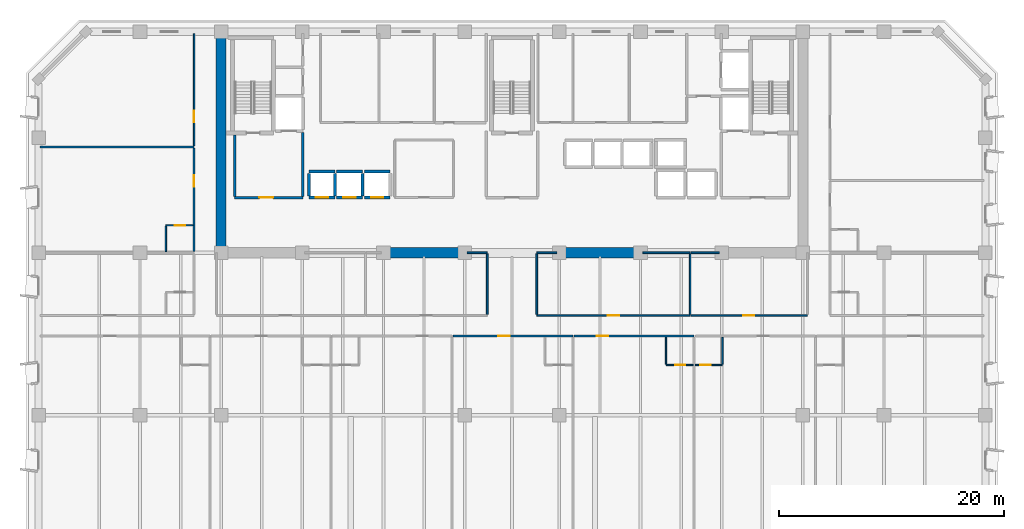
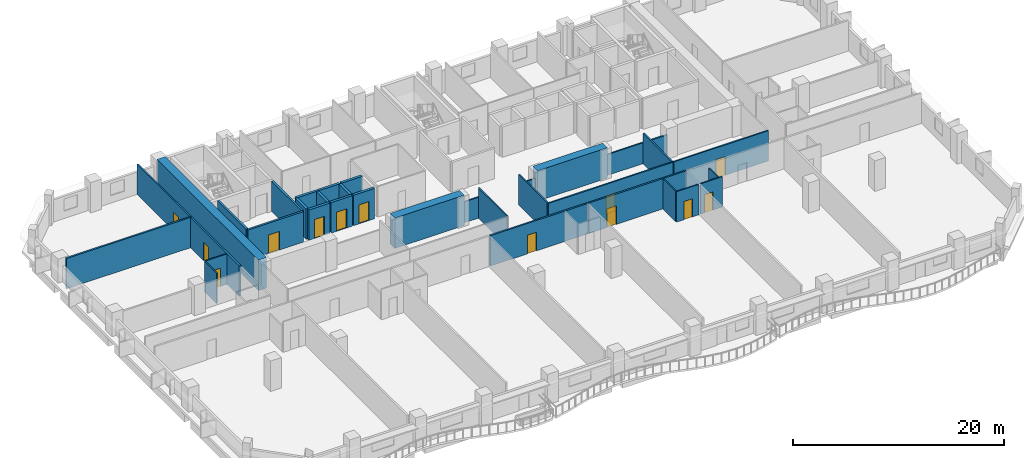
# One storey, part 6 of 15: 35 walls, 13 doors, 13 openings.
"""IFC4 building model written with IfcOpenShell, lengths in metres."""

from ifc_helpers import new_model, si_unit, direction, frame, frame_2d, origin, place, context, subcontext, project, spatial, rectangle, extrude, material, layer, layer_set, type_object, element, fill, save


model = new_model("IFC4")

# Units and contexts
model_context = context("Model", 3, precision=1e-05, world=origin(), true_north=direction((0.0, 1.0)))
body_context = subcontext(model_context, "Body", "Model", "MODEL_VIEW")
ifc_project = project(units=[si_unit("LENGTHUNIT", "METRE"), si_unit("AREAUNIT", "SQUARE_METRE"), si_unit("VOLUMEUNIT", "CUBIC_METRE"), si_unit("PLANEANGLEUNIT", "RADIAN"), si_unit("MASSUNIT", "GRAM", prefix="KILO")], contexts=[model_context])

# Site, building, storey
site_placement = place(None, origin())
site = spatial("IfcSite", under=ifc_project, at=site_placement, CompositionType="ELEMENT")
building_placement = place(site_placement, origin())
building = spatial("IfcBuilding", under=site, at=building_placement, Name="Kaelvorn Grand Hotel", CompositionType="ELEMENT")
storey_placement = place(building_placement, frame((0.0, 0.0, 104.300048828125)))
storey = spatial("IfcBuildingStorey", under=building, at=storey_placement, Name="L24", CompositionType="ELEMENT", Elevation=104.300048828125)

# Walls
ifc_material_1 = material(Name="Concrete C60/75", Category="concrete")
ifc_layer_1 = layer(ifc_material_1, 0.89990234375)
ifc_layer_set_1 = layer_set([ifc_layer_1], Name="Concrete C60/75")
wall_type_1 = type_object("IfcWallType", Name="WL-CORE-900-C60", PredefinedType="SHEAR", material=ifc_layer_set_1)
wall_1_placement = place(storey_placement, frame((16.199951171875, 29.39990234375, 0.0), z_axis=(0.0, 0.0, 1.0), x_axis=(0.0, 1.0, 0.0)))
element("IfcWall", 1, at=wall_1_placement, inside=storey, type_object=wall_type_1, Name="L24 Rear-Core West Shear Wall", PredefinedType="SHEAR", context=body_context, shape_type="SweptSolid", body=[
    extrude(rectangle(XDim=19.2001953125, YDim=0.89990234375, at=frame_2d((9.60009765625, 0.0))), origin(), (0.0, 0.0, 1.0), 3.510009765625),
])
for number, where, z_axis, x_axis, name in (
    (2, (30.39990234375, 29.39990234375, 0.0), (0.0, 0.0, 1.0), (1.0, 0.0, 0.0), "L24 Rear-Core Coupled Shear Pier S2"),
    (3, (46.0, 29.39990234375, 0.0), (0.0, 0.0, 1.0), (1.0, 0.0, 0.0), "L24 Rear-Core Coupled Shear Pier S3"),
):
    element("IfcWall", number, at=place(storey_placement, frame(where, z_axis=z_axis, x_axis=x_axis)), inside=storey, type_object=wall_type_1, Name=name, PredefinedType="SHEAR", context=body_context, shape_type="SweptSolid", body=[
        extrude(rectangle(XDim=7.60009765625, YDim=0.89990234375, at=frame_2d((3.800048828125, 0.0))), origin(), (0.0, 0.0, 1.0), 3.510009765625),
    ])

# Wall, opening, door
ifc_material_2 = material(Name="Moisture-Resistant Tile & Stud Board")
ifc_layer_2 = layer(ifc_material_2, 0.125)
ifc_layer_set_2 = layer_set([ifc_layer_2], Name="Moisture-Resistant Tile & Stud Board")
wall_type_2 = type_object("IfcWallType", Name="WL-PART-125-WET", PredefinedType="PARTITIONING", material=ifc_layer_set_2)
wall_2_placement = place(storey_placement, frame((55.66455078125, 19.449951171875, 0.0), z_axis=(0.0, 0.0, 1.0), x_axis=(1.0, 0.0, 0.0)))
wall_2 = element("IfcWall", 4, at=wall_2_placement, inside=storey, type_object=wall_type_2, Name="L24 En-suite Bathroom L24-05 S Partition", PredefinedType="PARTITIONING", context=body_context, shape_type="SweptSolid", body=[
    extrude(rectangle(XDim=2.405029296875, YDim=0.125, at=frame_2d((1.20263671875, 0.0))), origin(), (0.0, 0.0, 1.0), 3.510009765625),
])
opening_1_placement = place(wall_2_placement, frame((0.800048828125, 0.0, 0.0)))
opening_1 = element("IfcOpeningElement", 5, at=opening_1_placement, cuts=wall_2, Name="Opening DI4", PredefinedType="OPENING", context=body_context, shape_type="SweptSolid", body=[
    extrude(rectangle(XDim=0.89990234375, YDim=2.10009765625, at=frame_2d((0.449951171875, 1.050048828125))), frame((0.0, 0.072509765625, 0.0), z_axis=(0.0, -1.0, 0.0), x_axis=(1.0, 0.0, 0.0)), (0.0, 0.0, 1.0), 0.14501953125),
])
ifc_material_3 = material(Name="Timber Veneer Leaf", Category="wood")
door_type_1 = type_object("IfcDoorType", Name="DR-INT-BATH-900x2100", OperationType="NOTDEFINED", PredefinedType="DOOR", material=ifc_material_3)
door_1_placement = place(opening_1_placement, origin())
door_1 = element("IfcDoor", 6, at=door_1_placement, inside=storey, type_object=door_type_1, Name="L24 En-suite Bathroom L24-05 Door", OperationType="SINGLE_SWING_LEFT", OverallHeight=2.10009765625, OverallWidth=0.89990234375, PredefinedType="DOOR", context=body_context, shape_type="SweptSolid", body=[
    extrude(rectangle(XDim=0.89990234375, YDim=2.10009765625, at=frame_2d((0.449951171875, 1.050048828125))), frame((0.0, 0.02490234375, 0.0), z_axis=(0.0, -1.0, 0.0), x_axis=(1.0, 0.0, 0.0)), (0.0, 0.0, 1.0), 0.050048828125),
])
fill(opening_1, door_1)

# Wall
wall_3_placement = place(storey_placement, frame((55.66455078125, 19.517578125, 0.0), z_axis=(0.0, 0.0, 1.0), x_axis=(0.0, 1.0, 0.0)))
element("IfcWall", 7, at=wall_3_placement, inside=storey, type_object=wall_type_2, Name="L24 En-suite Bathroom L24-05 W Partition", PredefinedType="PARTITIONING", context=body_context, shape_type="SweptSolid", body=[
    extrude(rectangle(XDim=2.387451171875, YDim=0.125, at=frame_2d((1.19384765625, 0.0))), origin(), (0.0, 0.0, 1.0), 3.510009765625),
])

# Wall, opening, door
wall_4_placement = place(storey_placement, frame((58.259521484375, 19.449951171875, 0.0), z_axis=(0.0, 0.0, 1.0), x_axis=(1.0, 0.0, 0.0)))
wall_4 = element("IfcWall", 8, at=wall_4_placement, inside=storey, type_object=wall_type_2, Name="L24 En-suite Bathroom L24-06 S Partition", PredefinedType="PARTITIONING", context=body_context, shape_type="SweptSolid", body=[
    extrude(rectangle(XDim=2.405029296875, YDim=0.125, at=frame_2d((1.20263671875, 0.0))), origin(), (0.0, 0.0, 1.0), 3.510009765625),
])
opening_2_placement = place(wall_4_placement, frame((0.455078125, 0.0, 0.0)))
opening_2 = element("IfcOpeningElement", 9, at=opening_2_placement, cuts=wall_4, Name="Opening DI4", PredefinedType="OPENING", context=body_context, shape_type="SweptSolid", body=[
    extrude(rectangle(XDim=0.89990234375, YDim=2.10009765625, at=frame_2d((0.449951171875, 1.050048828125))), frame((0.0, 0.072509765625, 0.0), z_axis=(0.0, -1.0, 0.0), x_axis=(1.0, 0.0, 0.0)), (0.0, 0.0, 1.0), 0.14501953125),
])
door_2_placement = place(opening_2_placement, origin())
door_2 = element("IfcDoor", 10, at=door_2_placement, inside=storey, type_object=door_type_1, Name="L24 En-suite Bathroom L24-06 Door", OperationType="SINGLE_SWING_LEFT", OverallHeight=2.10009765625, OverallWidth=0.89990234375, PredefinedType="DOOR", context=body_context, shape_type="SweptSolid", body=[
    extrude(rectangle(XDim=0.89990234375, YDim=2.10009765625, at=frame_2d((0.449951171875, 1.050048828125))), frame((0.0, 0.02490234375, 0.0), z_axis=(0.0, -1.0, 0.0), x_axis=(1.0, 0.0, 0.0)), (0.0, 0.0, 1.0), 0.050048828125),
])
fill(opening_2, door_2)

# Wall
wall_5_placement = place(storey_placement, frame((60.66455078125, 19.517578125, 0.0), z_axis=(0.0, 0.0, 1.0), x_axis=(0.0, 1.0, 0.0)))
element("IfcWall", 11, at=wall_5_placement, inside=storey, type_object=wall_type_2, Name="L24 En-suite Bathroom L24-06 E Partition", PredefinedType="PARTITIONING", context=body_context, shape_type="SweptSolid", body=[
    extrude(rectangle(XDim=2.387451171875, YDim=0.125, at=frame_2d((1.19384765625, 0.0))), origin(), (0.0, 0.0, 1.0), 2.976806640625),
])

# Wall, opening, door
wall_6_placement = place(storey_placement, frame((11.300048828125, 31.840087890625, 0.0), z_axis=(0.0, 0.0, 1.0), x_axis=(1.0, 0.0, 0.0)))
wall_6 = element("IfcWall", 12, at=wall_6_placement, inside=storey, type_object=wall_type_2, Name="L24 En-suite Bathroom L24-10 N Partition", PredefinedType="PARTITIONING", context=body_context, shape_type="SweptSolid", body=[
    extrude(rectangle(XDim=2.405029296875, YDim=0.125, at=frame_2d((1.20263671875, 0.0))), origin(), (0.0, 0.0, 1.0), 3.510009765625),
])
opening_3_placement = place(wall_6_placement, frame((0.800048828125, 0.0, 0.0)))
opening_3 = element("IfcOpeningElement", 13, at=opening_3_placement, cuts=wall_6, Name="Opening DI4", PredefinedType="OPENING", context=body_context, shape_type="SweptSolid", body=[
    extrude(rectangle(XDim=0.89990234375, YDim=2.10009765625, at=frame_2d((0.449951171875, 1.050048828125))), frame((0.0, 0.072509765625, 0.0), z_axis=(0.0, -1.0, 0.0), x_axis=(1.0, 0.0, 0.0)), (0.0, 0.0, 1.0), 0.14501953125),
])
door_3_placement = place(opening_3_placement, origin())
door_3 = element("IfcDoor", 14, at=door_3_placement, inside=storey, type_object=door_type_1, Name="L24 En-suite Bathroom L24-10 Door", OperationType="SINGLE_SWING_LEFT", OverallHeight=2.10009765625, OverallWidth=0.89990234375, PredefinedType="DOOR", context=body_context, shape_type="SweptSolid", body=[
    extrude(rectangle(XDim=0.89990234375, YDim=2.10009765625, at=frame_2d((0.449951171875, 1.050048828125))), frame((0.0, 0.02490234375, 0.0), z_axis=(0.0, -1.0, 0.0), x_axis=(1.0, 0.0, 0.0)), (0.0, 0.0, 1.0), 0.050048828125),
])
fill(opening_3, door_3)

# Walls
wall_7_placement = place(storey_placement, frame((11.300048828125, 29.4951171875, 0.0), z_axis=(0.0, 0.0, 1.0), x_axis=(0.0, 1.0, 0.0)))
element("IfcWall", 15, at=wall_7_placement, inside=storey, type_object=wall_type_2, Name="L24 En-suite Bathroom L24-10 W Partition", PredefinedType="PARTITIONING", context=body_context, shape_type="SweptSolid", body=[
    extrude(rectangle(XDim=2.27734375, YDim=0.125, at=frame_2d((1.138671875, 0.0))), origin(), (0.0, 0.0, 1.0), 3.510009765625),
])
ifc_material_4 = material(Name="Acoustic Gypsum & Stud Partition")
ifc_layer_3 = layer(ifc_material_4, 0.14990234375)
ifc_layer_set_3 = layer_set([ifc_layer_3], Name="Acoustic Gypsum & Stud Partition")
wall_type_3 = type_object("IfcWallType", Name="WL-PART-150-EI60", PredefinedType="PARTITIONING", material=ifc_layer_set_3)
wall_8_placement = place(storey_placement, frame((38.010009765625, 29.39990234375, 0.0), z_axis=(0.0, 0.0, 1.0), x_axis=(1.0, 0.0, 0.0)))
element("IfcWall", 16, at=wall_8_placement, inside=storey, type_object=wall_type_3, Name="L24 Private Chef Kitchen N Partition (2)", PredefinedType="PARTITIONING", context=body_context, shape_type="SweptSolid", body=[
    extrude(rectangle(XDim=1.7900390625, YDim=0.14990234375, at=frame_2d((0.89501953125, 0.0))), origin(), (0.0, 0.0, 1.0), 2.409912109375),
])
wall_9_placement = place(storey_placement, frame((39.800048828125, 23.929931640625, 0.0), z_axis=(0.0, 0.0, 1.0), x_axis=(0.0, 1.0, 0.0)))
element("IfcWall", 17, at=wall_9_placement, inside=storey, type_object=wall_type_3, Name="L24 Private Chef Kitchen E Partition", PredefinedType="PARTITIONING", context=body_context, shape_type="SweptSolid", body=[
    extrude(rectangle(XDim=5.39013671875, YDim=0.14990234375, at=frame_2d((2.695068359375, 0.0))), origin(), (0.0, 0.0, 1.0), 3.510009765625),
])

# Wall, opening, door
wall_10_placement = place(storey_placement, frame((44.199951171875, 23.85009765625, 0.0), z_axis=(0.0, 0.0, 1.0), x_axis=(1.0, 0.0, 0.0)))
wall_10 = element("IfcWall", 18, at=wall_10_placement, inside=storey, type_object=wall_type_3, Name="L24 Summit Conference Room S Partition", PredefinedType="PARTITIONING", context=body_context, shape_type="SweptSolid", body=[
    extrude(rectangle(XDim=13.60009765625, YDim=0.14990234375, at=frame_2d((6.800048828125, 0.0))), origin(), (0.0, 0.0, 1.0), 3.510009765625),
])
opening_4_placement = place(wall_10_placement, frame((6.300048828125, 0.0, 0.0)))
opening_4 = element("IfcOpeningElement", 19, at=opening_4_placement, cuts=wall_10, Name="Opening DI3", PredefinedType="OPENING", context=body_context, shape_type="SweptSolid", body=[
    extrude(rectangle(XDim=1.0, YDim=2.14990234375, at=frame_2d((0.5, 1.074951171875))), frame((0.0, 0.0849609375, 0.0), z_axis=(0.0, -1.0, 0.0), x_axis=(1.0, 0.0, 0.0)), (0.0, 0.0, 1.0), 0.169921875),
])
ifc_material_5 = material(Name="Timber Veneer Fire Leaf", Category="wood")
door_type_2 = type_object("IfcDoorType", Name="DR-INT-GUEST-1000x2150", OperationType="NOTDEFINED", PredefinedType="DOOR", material=ifc_material_5)
door_4_placement = place(opening_4_placement, origin())
door_4 = element("IfcDoor", 20, at=door_4_placement, inside=storey, type_object=door_type_2, Name="L24 Summit Conference Room Door", OperationType="SINGLE_SWING_RIGHT", OverallHeight=2.14990234375, OverallWidth=1.0, PredefinedType="DOOR", context=body_context, shape_type="SweptSolid", body=[
    extrude(rectangle(XDim=1.0, YDim=2.14990234375, at=frame_2d((0.5, 1.074951171875))), frame((0.0, 0.02490234375, 0.0), z_axis=(0.0, -1.0, 0.0), x_axis=(1.0, 0.0, 0.0)), (0.0, 0.0, 1.0), 0.050048828125),
])
fill(opening_4, door_4)

# Walls
wall_11_placement = place(storey_placement, frame((44.199951171875, 29.39990234375, 0.0), z_axis=(0.0, 0.0, 1.0), x_axis=(1.0, 0.0, 0.0)))
element("IfcWall", 21, at=wall_11_placement, inside=storey, type_object=wall_type_3, Name="L24 Summit Conference Room N Partition (1)", PredefinedType="PARTITIONING", context=body_context, shape_type="SweptSolid", body=[
    extrude(rectangle(XDim=1.7900390625, YDim=0.14990234375, at=frame_2d((0.89501953125, 0.0))), origin(), (0.0, 0.0, 1.0), 2.409912109375),
])
wall_12_placement = place(storey_placement, frame((53.610107421875, 29.39990234375, 0.0), z_axis=(0.0, 0.0, 1.0), x_axis=(1.0, 0.0, 0.0)))
element("IfcWall", 22, at=wall_12_placement, inside=storey, type_object=wall_type_3, Name="L24 Summit Conference Room N Partition (2)", PredefinedType="PARTITIONING", context=body_context, shape_type="SweptSolid", body=[
    extrude(rectangle(XDim=4.18994140625, YDim=0.14990234375, at=frame_2d((2.094970703125, 0.0))), origin(), (0.0, 0.0, 1.0), 2.409912109375),
])
for number, where, z_axis, x_axis, name in (
    (23, (44.199951171875, 23.929931640625, 0.0), (0.0, 0.0, 1.0), (0.0, 1.0, 0.0), "L24 Summit Conference Room W Partition"),
    (24, (57.800048828125, 23.929931640625, 0.0), (0.0, 0.0, 1.0), (0.0, 1.0, 0.0), "L24 Summit Conference Room E Partition"),
):
    element("IfcWall", number, at=place(storey_placement, frame(where, z_axis=z_axis, x_axis=x_axis)), inside=storey, type_object=wall_type_3, Name=name, PredefinedType="PARTITIONING", context=body_context, shape_type="SweptSolid", body=[
        extrude(rectangle(XDim=5.39013671875, YDim=0.14990234375, at=frame_2d((2.695068359375, 0.0))), origin(), (0.0, 0.0, 1.0), 3.510009765625),
    ])

# Wall, opening, door
wall_13_placement = place(storey_placement, frame((57.8798828125, 23.85009765625, 0.0), z_axis=(0.0, 0.0, 1.0), x_axis=(1.0, 0.0, 0.0)))
wall_13 = element("IfcWall", 25, at=wall_13_placement, inside=storey, type_object=wall_type_3, Name="L24 Executive Law Office S Partition", PredefinedType="PARTITIONING", context=body_context, shape_type="SweptSolid", body=[
    extrude(rectangle(XDim=10.320068359375, YDim=0.14990234375, at=frame_2d((5.16015625, 0.0))), origin(), (0.0, 0.0, 1.0), 3.510009765625),
])
opening_5_placement = place(wall_13_placement, frame((4.6201171875, 0.0, 0.0)))
opening_5 = element("IfcOpeningElement", 26, at=opening_5_placement, cuts=wall_13, Name="Opening DI3", PredefinedType="OPENING", context=body_context, shape_type="SweptSolid", body=[
    extrude(rectangle(XDim=1.0, YDim=2.14990234375, at=frame_2d((0.5, 1.074951171875))), frame((0.0, 0.0849609375, 0.0), z_axis=(0.0, -1.0, 0.0), x_axis=(1.0, 0.0, 0.0)), (0.0, 0.0, 1.0), 0.169921875),
])
door_5_placement = place(opening_5_placement, origin())
door_5 = element("IfcDoor", 27, at=door_5_placement, inside=storey, type_object=door_type_2, Name="L24 Executive Law Office Door", OperationType="SINGLE_SWING_LEFT", OverallHeight=2.14990234375, OverallWidth=1.0, PredefinedType="DOOR", context=body_context, shape_type="SweptSolid", body=[
    extrude(rectangle(XDim=1.0, YDim=2.14990234375, at=frame_2d((0.5, 1.074951171875))), frame((0.0, 0.02490234375, 0.0), z_axis=(0.0, -1.0, 0.0), x_axis=(1.0, 0.0, 0.0)), (0.0, 0.0, 1.0), 0.050048828125),
])
fill(opening_5, door_5)

# Wall
wall_14_placement = place(storey_placement, frame((57.8798828125, 29.39990234375, 0.0), z_axis=(0.0, 0.0, 1.0), x_axis=(1.0, 0.0, 0.0)))
element("IfcWall", 28, at=wall_14_placement, inside=storey, type_object=wall_type_3, Name="L24 Executive Law Office N Partition", PredefinedType="PARTITIONING", context=body_context, shape_type="SweptSolid", body=[
    extrude(rectangle(XDim=2.510009765625, YDim=0.14990234375, at=frame_2d((1.2548828125, 0.0))), origin(), (0.0, 0.0, 1.0), 2.409912109375),
])

# Wall, opening, door
wall_15_placement = place(storey_placement, frame((13.800048828125, 38.89501953125, 0.0), z_axis=(0.0, 0.0, 1.0), x_axis=(0.0, 1.0, 0.0)))
wall_15 = element("IfcWall", 29, at=wall_15_placement, inside=storey, type_object=wall_type_3, Name="L24 North-West Executive Law Office E Partition", PredefinedType="PARTITIONING", context=body_context, shape_type="SweptSolid", body=[
    extrude(rectangle(XDim=9.955078125, YDim=0.14990234375, at=frame_2d((4.9775390625, 0.0))), origin(), (0.0, 0.0, 1.0), 3.510009765625),
])
opening_6_placement = place(wall_15_placement, frame((2.10498046875, 0.0, 0.0)))
opening_6 = element("IfcOpeningElement", 30, at=opening_6_placement, cuts=wall_15, Name="Opening DI3", PredefinedType="OPENING", context=body_context, shape_type="SweptSolid", body=[
    extrude(rectangle(XDim=1.0, YDim=2.14990234375, at=frame_2d((0.5, 1.074951171875))), frame((0.0, 0.0849609375, 0.0), z_axis=(0.0, -1.0, 0.0), x_axis=(1.0, 0.0, 0.0)), (0.0, 0.0, 1.0), 0.169921875),
])
door_6_placement = place(opening_6_placement, origin())
door_6 = element("IfcDoor", 31, at=door_6_placement, inside=storey, type_object=door_type_2, Name="L24 North-West Executive Law Office Door", OperationType="SINGLE_SWING_RIGHT", OverallHeight=2.14990234375, OverallWidth=1.0, PredefinedType="DOOR", context=body_context, shape_type="SweptSolid", body=[
    extrude(rectangle(XDim=1.0, YDim=2.14990234375, at=frame_2d((0.5, 1.074951171875))), frame((0.0, 0.02490234375, 0.0), z_axis=(0.0, -1.0, 0.0), x_axis=(1.0, 0.0, 0.0)), (0.0, 0.0, 1.0), 0.050048828125),
])
fill(opening_6, door_6)

ifc_layer_4 = layer(ifc_material_4, 0.179931640625)
ifc_layer_set_4 = layer_set([ifc_layer_4], Name="Acoustic Gypsum & Stud Partition")
wall_type_4 = type_object("IfcWallType", Name="WL-PART-180-EI60", PredefinedType="PARTITIONING", material=ifc_layer_set_4)
wall_16_placement = place(storey_placement, frame((36.773681640625, 22.0, 0.0), z_axis=(0.0, 0.0, 1.0), x_axis=(1.0, 0.0, 0.0)))
wall_16 = element("IfcWall", 32, at=wall_16_placement, inside=storey, type_object=wall_type_4, Name="L24 Deluxe Panoramic Suite L24-04 N Partition", PredefinedType="PARTITIONING", context=body_context, shape_type="SweptSolid", body=[
    extrude(rectangle(XDim=10.64794921875, YDim=0.179931640625, at=frame_2d((5.323974609375, 0.0))), origin(), (0.0, 0.0, 1.0), 3.510009765625),
])
opening_7_placement = place(wall_16_placement, frame((4.027099609375, 0.0, 0.0)))
opening_7 = element("IfcOpeningElement", 33, at=opening_7_placement, cuts=wall_16, Name="Opening DI3", PredefinedType="OPENING", context=body_context, shape_type="SweptSolid", body=[
    extrude(rectangle(XDim=1.0, YDim=2.14990234375, at=frame_2d((0.5, 1.074951171875))), frame((0.0, 0.10009765625, 0.0), z_axis=(0.0, -1.0, 0.0), x_axis=(1.0, 0.0, 0.0)), (0.0, 0.0, 1.0), 0.199951171875),
])
door_7_placement = place(opening_7_placement, origin())
door_7 = element("IfcDoor", 34, at=door_7_placement, inside=storey, type_object=door_type_2, Name="L24 Deluxe Panoramic Suite L24-04 Door", OperationType="SINGLE_SWING_RIGHT", OverallHeight=2.14990234375, OverallWidth=1.0, PredefinedType="DOOR", context=body_context, shape_type="SweptSolid", body=[
    extrude(rectangle(XDim=1.0, YDim=2.14990234375, at=frame_2d((0.5, 1.074951171875))), frame((0.0, 0.02490234375, 0.0), z_axis=(0.0, -1.0, 0.0), x_axis=(1.0, 0.0, 0.0)), (0.0, 0.0, 1.0), 0.050048828125),
])
fill(opening_7, door_7)

wall_17_placement = place(storey_placement, frame((47.5166015625, 22.0, 0.0), z_axis=(0.0, 0.0, 1.0), x_axis=(1.0, 0.0, 0.0)))
wall_17 = element("IfcWall", 35, at=wall_17_placement, inside=storey, type_object=wall_type_4, Name="L24 Deluxe Panoramic Suite L24-05 N Partition", PredefinedType="PARTITIONING", context=body_context, shape_type="SweptSolid", body=[
    extrude(rectangle(XDim=10.64794921875, YDim=0.179931640625, at=frame_2d((5.323974609375, 0.0))), origin(), (0.0, 0.0, 1.0), 3.510009765625),
])
opening_8_placement = place(wall_17_placement, frame((2.004150390625, 0.0, 0.0)))
opening_8 = element("IfcOpeningElement", 36, at=opening_8_placement, cuts=wall_17, Name="Opening DI3", PredefinedType="OPENING", context=body_context, shape_type="SweptSolid", body=[
    extrude(rectangle(XDim=1.0, YDim=2.14990234375, at=frame_2d((0.5, 1.074951171875))), frame((0.0, 0.10009765625, 0.0), z_axis=(0.0, -1.0, 0.0), x_axis=(1.0, 0.0, 0.0)), (0.0, 0.0, 1.0), 0.199951171875),
])
door_8_placement = place(opening_8_placement, origin())
door_8 = element("IfcDoor", 37, at=door_8_placement, inside=storey, type_object=door_type_2, Name="L24 Deluxe Panoramic Suite L24-05 Door", OperationType="SINGLE_SWING_RIGHT", OverallHeight=2.14990234375, OverallWidth=1.0, PredefinedType="DOOR", context=body_context, shape_type="SweptSolid", body=[
    extrude(rectangle(XDim=1.0, YDim=2.14990234375, at=frame_2d((0.5, 1.074951171875))), frame((0.0, 0.02490234375, 0.0), z_axis=(0.0, -1.0, 0.0), x_axis=(1.0, 0.0, 0.0)), (0.0, 0.0, 1.0), 0.050048828125),
])
fill(opening_8, door_8)

# Wall
wall_18_placement = place(storey_placement, frame((0.14990234375, 38.800048828125, 0.0), z_axis=(0.0, 0.0, 1.0), x_axis=(1.0, 0.0, 0.0)))
element("IfcWall", 38, at=wall_18_placement, inside=storey, type_object=wall_type_4, Name="L24 North-West Wing Suite L24-10 N Partition", PredefinedType="PARTITIONING", context=body_context, shape_type="SweptSolid", body=[
    extrude(rectangle(XDim=13.650146484375, YDim=0.179931640625, at=frame_2d((6.8251953125, 0.0))), origin(), (0.0, 0.0, 1.0), 3.510009765625),
])

# Wall, opening, door
wall_19_placement = place(storey_placement, frame((13.800048828125, 29.4951171875, 0.0), z_axis=(0.0, 0.0, 1.0), x_axis=(0.0, 1.0, 0.0)))
wall_19 = element("IfcWall", 39, at=wall_19_placement, inside=storey, type_object=wall_type_4, Name="L24 North-West Wing Suite L24-10 E Partition", PredefinedType="PARTITIONING", context=body_context, shape_type="SweptSolid", body=[
    extrude(rectangle(XDim=9.2099609375, YDim=0.179931640625, at=frame_2d((4.60498046875, 0.0))), origin(), (0.0, 0.0, 1.0), 3.510009765625),
])
opening_9_placement = place(wall_19_placement, frame((5.77490234375, 0.0, 0.0)))
opening_9 = element("IfcOpeningElement", 40, at=opening_9_placement, cuts=wall_19, Name="Opening DI3", PredefinedType="OPENING", context=body_context, shape_type="SweptSolid", body=[
    extrude(rectangle(XDim=1.0, YDim=2.14990234375, at=frame_2d((0.5, 1.074951171875))), frame((0.0, 0.10009765625, 0.0), z_axis=(0.0, -1.0, 0.0), x_axis=(1.0, 0.0, 0.0)), (0.0, 0.0, 1.0), 0.199951171875),
])
door_9_placement = place(opening_9_placement, origin())
door_9 = element("IfcDoor", 41, at=door_9_placement, inside=storey, type_object=door_type_2, Name="L24 North-West Wing Suite L24-10 Door", OperationType="SINGLE_SWING_RIGHT", OverallHeight=2.14990234375, OverallWidth=1.0, PredefinedType="DOOR", context=body_context, shape_type="SweptSolid", body=[
    extrude(rectangle(XDim=1.0, YDim=2.14990234375, at=frame_2d((0.5, 1.074951171875))), frame((0.0, 0.02490234375, 0.0), z_axis=(0.0, -1.0, 0.0), x_axis=(1.0, 0.0, 0.0)), (0.0, 0.0, 1.0), 0.050048828125),
])
fill(opening_9, door_9)

ifc_material_6 = material(Name="Concrete C40/50", Category="concrete")
ifc_layer_5 = layer(ifc_material_6, 0.219970703125)
ifc_layer_set_5 = layer_set([ifc_layer_5], Name="Concrete C40/50")
wall_type_5 = type_object("IfcWallType", Name="WL-PART-220-EI120", PredefinedType="PARTITIONING", material=ifc_layer_set_5)
wall_20_placement = place(storey_placement, frame((17.39990234375, 34.300048828125, 0.0), z_axis=(0.0, 0.0, 1.0), x_axis=(1.0, 0.0, 0.0)))
wall_20 = element("IfcWall", 42, at=wall_20_placement, inside=storey, type_object=wall_type_5, Name="L24 Firefighting Lift Lobby 1 S Partition", PredefinedType="PARTITIONING", context=body_context, shape_type="SweptSolid", body=[
    extrude(rectangle(XDim=6.050048828125, YDim=0.219970703125, at=frame_2d((3.02490234375, 0.0))), origin(), (0.0, 0.0, 1.0), 3.510009765625),
])
opening_10_placement = place(wall_20_placement, frame((2.199951171875, 0.0, 0.0)))
opening_10 = element("IfcOpeningElement", 43, at=opening_10_placement, cuts=wall_20, Name="Opening DI2", PredefinedType="OPENING", context=body_context, shape_type="SweptSolid", body=[
    extrude(rectangle(XDim=1.199951171875, YDim=2.14990234375, at=frame_2d((0.60009765625, 1.074951171875))), frame((0.0, 0.1201171875, 0.0), z_axis=(0.0, -1.0, 0.0), x_axis=(1.0, 0.0, 0.0)), (0.0, 0.0, 1.0), 0.239990234375),
])
door_type_3 = type_object("IfcDoorType", Name="DR-INT-FFLOB-1200x2150", OperationType="NOTDEFINED", PredefinedType="DOOR", material=ifc_material_5)
door_10_placement = place(opening_10_placement, origin())
door_10 = element("IfcDoor", 44, at=door_10_placement, inside=storey, type_object=door_type_3, Name="L24 Firefighting Lift Lobby 1 Door", OperationType="SINGLE_SWING_LEFT", OverallHeight=2.14990234375, OverallWidth=1.199951171875, PredefinedType="DOOR", context=body_context, shape_type="SweptSolid", body=[
    extrude(rectangle(XDim=1.199951171875, YDim=2.14990234375, at=frame_2d((0.60009765625, 1.074951171875))), frame((0.0, 0.02490234375, 0.0), z_axis=(0.0, -1.0, 0.0), x_axis=(1.0, 0.0, 0.0)), (0.0, 0.0, 1.0), 0.050048828125),
])
fill(opening_10, door_10)

# Walls
wall_21_placement = place(storey_placement, frame((17.39990234375, 34.4150390625, 0.0), z_axis=(0.0, 0.0, 1.0), x_axis=(0.0, 1.0, 0.0)))
element("IfcWall", 45, at=wall_21_placement, inside=storey, type_object=wall_type_5, Name="L24 Firefighting Lift Lobby 1 W Partition", PredefinedType="PARTITIONING", context=body_context, shape_type="SweptSolid", body=[
    extrude(rectangle(XDim=5.429931640625, YDim=0.219970703125, at=frame_2d((2.71484375, 0.0))), origin(), (0.0, 0.0, 1.0), 3.510009765625),
])
wall_22_placement = place(storey_placement, frame((23.449951171875, 34.4150390625, 0.0), z_axis=(0.0, 0.0, 1.0), x_axis=(0.0, 1.0, 0.0)))
element("IfcWall", 46, at=wall_22_placement, inside=storey, type_object=wall_type_5, Name="L24 Firefighting Lift Lobby 1 E Partition", PredefinedType="PARTITIONING", context=body_context, shape_type="SweptSolid", body=[
    extrude(rectangle(XDim=5.639892578125, YDim=0.219970703125, at=frame_2d((2.81982421875, 0.0))), origin(), (0.0, 0.0, 1.0), 3.510009765625),
])

# Wall, opening, door
ifc_material_7 = material(Name="Concrete C50/60", Category="concrete")
ifc_layer_6 = layer(ifc_material_7, 0.280029296875)
ifc_layer_set_6 = layer_set([ifc_layer_6], Name="Concrete C50/60")
wall_type_6 = type_object("IfcWallType", Name="WL-SHAFT-280-C50", PredefinedType="SHEAR", material=ifc_layer_set_6)
wall_23_placement = place(storey_placement, frame((24.0, 34.300048828125, 0.0), z_axis=(0.0, 0.0, 1.0), x_axis=(1.0, 0.0, 0.0)))
wall_23 = element("IfcWall", 47, at=wall_23_placement, inside=storey, type_object=wall_type_6, Name="L24 Lift PL-L1 Shaft South Wall", PredefinedType="SHEAR", context=body_context, shape_type="SweptSolid", body=[
    extrude(rectangle(XDim=2.300048828125, YDim=0.280029296875, at=frame_2d((1.14990234375, 0.0))), origin(), (0.0, 0.0, 1.0), 3.510009765625),
])
opening_11_placement = place(wall_23_placement, frame((0.60009765625, 0.0, 0.0)))
opening_11 = element("IfcOpeningElement", 48, at=opening_11_placement, cuts=wall_23, Name="Opening LD-PL-L1", PredefinedType="OPENING", context=body_context, shape_type="SweptSolid", body=[
    extrude(rectangle(XDim=1.10009765625, YDim=2.199951171875, at=frame_2d((0.550048828125, 1.10009765625))), frame((0.0, 0.14990234375, 0.0), z_axis=(0.0, -1.0, 0.0), x_axis=(1.0, 0.0, 0.0)), (0.0, 0.0, 1.0), 0.300048828125),
])
ifc_material_8 = material(Name="Stainless Steel", Category="steel")
door_type_4 = type_object("IfcDoorType", Name="DR-LIFT-PASS-1100x2200", OperationType="DOUBLE_DOOR_SLIDING", PredefinedType="DOOR", material=ifc_material_8)
door_11_placement = place(opening_11_placement, origin())
door_11 = element("IfcDoor", 49, at=door_11_placement, inside=storey, type_object=door_type_4, Name="L24 Lift PL-L1 Sliding Landing Door LD-PL-L1", OperationType="DOUBLE_DOOR_SLIDING", OverallHeight=2.199951171875, OverallWidth=1.10009765625, PredefinedType="DOOR", context=body_context, shape_type="SweptSolid", body=[
    extrude(rectangle(XDim=1.10009765625, YDim=2.199951171875, at=frame_2d((0.550048828125, 1.10009765625))), frame((0.0, 0.02490234375, 0.0), z_axis=(0.0, -1.0, 0.0), x_axis=(1.0, 0.0, 0.0)), (0.0, 0.0, 1.0), 0.050048828125),
])
fill(opening_11, door_11)

# Walls
wall_24_placement = place(storey_placement, frame((24.0, 36.60009765625, 0.0), z_axis=(0.0, 0.0, 1.0), x_axis=(1.0, 0.0, 0.0)))
element("IfcWall", 50, at=wall_24_placement, inside=storey, type_object=wall_type_6, Name="L24 Lift PL-L1 Shaft North Wall", PredefinedType="SHEAR", context=body_context, shape_type="SweptSolid", body=[
    extrude(rectangle(XDim=2.300048828125, YDim=0.280029296875, at=frame_2d((1.14990234375, 0.0))), origin(), (0.0, 0.0, 1.0), 3.510009765625),
])
for number, where, z_axis, x_axis, name in (
    (51, (24.0, 34.445068359375, 0.0), (0.0, 0.0, 1.0), (0.0, 1.0, 0.0), "L24 Lift PL-L1 Shaft West Wall"),
    (52, (26.300048828125, 34.445068359375, 0.0), (0.0, 0.0, 1.0), (0.0, 1.0, 0.0), "L24 Lift PL-L1 Shaft East Wall"),
):
    element("IfcWall", number, at=place(storey_placement, frame(where, z_axis=z_axis, x_axis=x_axis)), inside=storey, type_object=wall_type_6, Name=name, PredefinedType="SHEAR", context=body_context, shape_type="SweptSolid", body=[
        extrude(rectangle(XDim=2.010009765625, YDim=0.280029296875, at=frame_2d((1.0048828125, 0.0))), origin(), (0.0, 0.0, 1.0), 3.510009765625),
    ])

# Wall, opening, door
wall_25_placement = place(storey_placement, frame((26.449951171875, 34.300048828125, 0.0), z_axis=(0.0, 0.0, 1.0), x_axis=(1.0, 0.0, 0.0)))
wall_25 = element("IfcWall", 53, at=wall_25_placement, inside=storey, type_object=wall_type_6, Name="L24 Lift PL-L2 Shaft South Wall", PredefinedType="SHEAR", context=body_context, shape_type="SweptSolid", body=[
    extrude(rectangle(XDim=2.300048828125, YDim=0.280029296875, at=frame_2d((1.14990234375, 0.0))), origin(), (0.0, 0.0, 1.0), 3.510009765625),
])
opening_12_placement = place(wall_25_placement, frame((0.60009765625, 0.0, 0.0)))
opening_12 = element("IfcOpeningElement", 54, at=opening_12_placement, cuts=wall_25, Name="Opening LD-PL-L2", PredefinedType="OPENING", context=body_context, shape_type="SweptSolid", body=[
    extrude(rectangle(XDim=1.10009765625, YDim=2.199951171875, at=frame_2d((0.550048828125, 1.10009765625))), frame((0.0, 0.14990234375, 0.0), z_axis=(0.0, -1.0, 0.0), x_axis=(1.0, 0.0, 0.0)), (0.0, 0.0, 1.0), 0.300048828125),
])
door_12_placement = place(opening_12_placement, origin())
door_12 = element("IfcDoor", 55, at=door_12_placement, inside=storey, type_object=door_type_4, Name="L24 Lift PL-L2 Sliding Landing Door LD-PL-L2", OperationType="DOUBLE_DOOR_SLIDING", OverallHeight=2.199951171875, OverallWidth=1.10009765625, PredefinedType="DOOR", context=body_context, shape_type="SweptSolid", body=[
    extrude(rectangle(XDim=1.10009765625, YDim=2.199951171875, at=frame_2d((0.550048828125, 1.10009765625))), frame((0.0, 0.02490234375, 0.0), z_axis=(0.0, -1.0, 0.0), x_axis=(1.0, 0.0, 0.0)), (0.0, 0.0, 1.0), 0.050048828125),
])
fill(opening_12, door_12)

# Walls
wall_26_placement = place(storey_placement, frame((26.449951171875, 36.60009765625, 0.0), z_axis=(0.0, 0.0, 1.0), x_axis=(1.0, 0.0, 0.0)))
element("IfcWall", 56, at=wall_26_placement, inside=storey, type_object=wall_type_6, Name="L24 Lift PL-L2 Shaft North Wall", PredefinedType="SHEAR", context=body_context, shape_type="SweptSolid", body=[
    extrude(rectangle(XDim=2.300048828125, YDim=0.280029296875, at=frame_2d((1.14990234375, 0.0))), origin(), (0.0, 0.0, 1.0), 3.510009765625),
])
wall_27_placement = place(storey_placement, frame((28.75, 34.445068359375, 0.0), z_axis=(0.0, 0.0, 1.0), x_axis=(0.0, 1.0, 0.0)))
element("IfcWall", 57, at=wall_27_placement, inside=storey, type_object=wall_type_6, Name="L24 Lift PL-L2 Shaft East Wall", PredefinedType="SHEAR", context=body_context, shape_type="SweptSolid", body=[
    extrude(rectangle(XDim=2.010009765625, YDim=0.280029296875, at=frame_2d((1.0048828125, 0.0))), origin(), (0.0, 0.0, 1.0), 3.510009765625),
])

# Wall, opening, door
wall_28_placement = place(storey_placement, frame((28.89990234375, 34.300048828125, 0.0), z_axis=(0.0, 0.0, 1.0), x_axis=(1.0, 0.0, 0.0)))
wall_28 = element("IfcWall", 58, at=wall_28_placement, inside=storey, type_object=wall_type_6, Name="L24 Lift PL-L3 Shaft South Wall", PredefinedType="SHEAR", context=body_context, shape_type="SweptSolid", body=[
    extrude(rectangle(XDim=2.300048828125, YDim=0.280029296875, at=frame_2d((1.14990234375, 0.0))), origin(), (0.0, 0.0, 1.0), 3.510009765625),
])
opening_13_placement = place(wall_28_placement, frame((0.60009765625, 0.0, 0.0)))
opening_13 = element("IfcOpeningElement", 59, at=opening_13_placement, cuts=wall_28, Name="Opening LD-PL-L3", PredefinedType="OPENING", context=body_context, shape_type="SweptSolid", body=[
    extrude(rectangle(XDim=1.10009765625, YDim=2.199951171875, at=frame_2d((0.550048828125, 1.10009765625))), frame((0.0, 0.14990234375, 0.0), z_axis=(0.0, -1.0, 0.0), x_axis=(1.0, 0.0, 0.0)), (0.0, 0.0, 1.0), 0.300048828125),
])
door_13_placement = place(opening_13_placement, origin())
door_13 = element("IfcDoor", 60, at=door_13_placement, inside=storey, type_object=door_type_4, Name="L24 Lift PL-L3 Sliding Landing Door LD-PL-L3", OperationType="DOUBLE_DOOR_SLIDING", OverallHeight=2.199951171875, OverallWidth=1.10009765625, PredefinedType="DOOR", context=body_context, shape_type="SweptSolid", body=[
    extrude(rectangle(XDim=1.10009765625, YDim=2.199951171875, at=frame_2d((0.550048828125, 1.10009765625))), frame((0.0, 0.02490234375, 0.0), z_axis=(0.0, -1.0, 0.0), x_axis=(1.0, 0.0, 0.0)), (0.0, 0.0, 1.0), 0.050048828125),
])
fill(opening_13, door_13)

# Wall
wall_29_placement = place(storey_placement, frame((28.89990234375, 36.60009765625, 0.0), z_axis=(0.0, 0.0, 1.0), x_axis=(1.0, 0.0, 0.0)))
element("IfcWall", 61, at=wall_29_placement, inside=storey, type_object=wall_type_6, Name="L24 Lift PL-L3 Shaft North Wall", PredefinedType="SHEAR", context=body_context, shape_type="SweptSolid", body=[
    extrude(rectangle(XDim=2.300048828125, YDim=0.280029296875, at=frame_2d((1.14990234375, 0.0))), origin(), (0.0, 0.0, 1.0), 3.510009765625),
])

save(model, "model.ifc")
